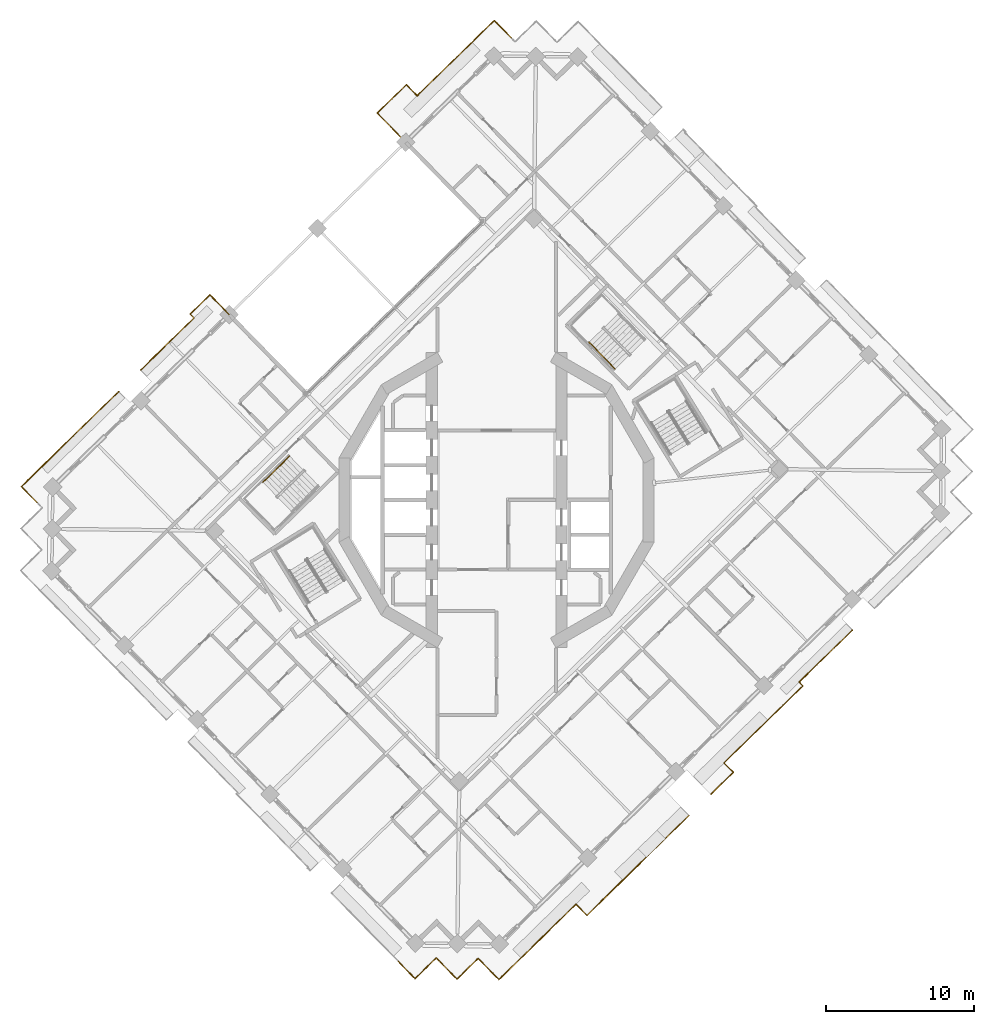
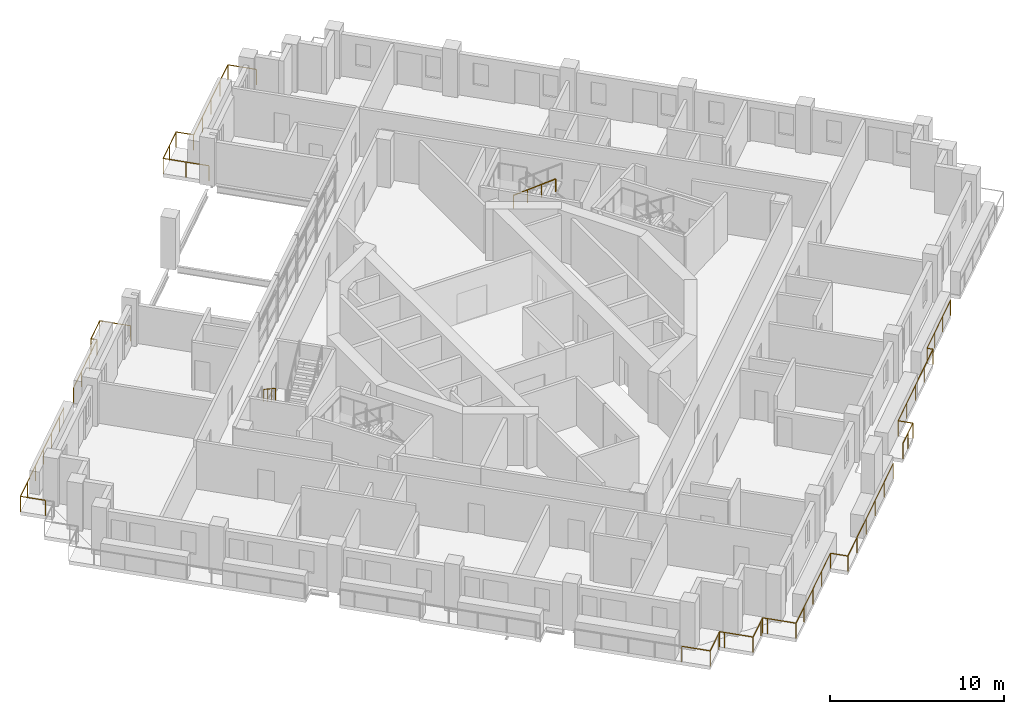
# One storey, part 16 of 19: 8 railings.
"""IFC4 building model written with IfcOpenShell, lengths in metres."""

from ifc_helpers import new_model, si_unit, direction, frame, origin, origin_2d, place, context, subcontext, project, spatial, circle, extrude, material, type_object, element, save


model = new_model("IFC4")

# Units and contexts
model_context = context("Model", 3, precision=1e-05, world=origin(), true_north=direction((0.0, 1.0)))
body_context = subcontext(model_context, "Body", "Model", "MODEL_VIEW")
ifc_project = project(units=[si_unit("LENGTHUNIT", "METRE"), si_unit("AREAUNIT", "SQUARE_METRE"), si_unit("VOLUMEUNIT", "CUBIC_METRE"), si_unit("PLANEANGLEUNIT", "RADIAN"), si_unit("MASSUNIT", "GRAM", prefix="KILO")], contexts=[model_context])

# Site, building, storey
site_placement = place(None, origin())
site = spatial("IfcSite", under=ifc_project, at=site_placement, CompositionType="ELEMENT")
building_placement = place(site_placement, origin())
building = spatial("IfcBuilding", under=site, at=building_placement, Name="Cantera Rosa Tower", CompositionType="ELEMENT")
storey_placement = place(building_placement, frame((0.0, 0.0, 223.39990234375)))
storey = spatial("IfcBuildingStorey", under=building, at=storey_placement, Name="L48", CompositionType="ELEMENT", Elevation=223.39990234375)

# Railings
ifc_material_1 = material(Name="Stainless steel and laminated glass", Category="steel")
railing_type_1 = type_object("IfcRailingType", Name="GUARD 1100", PredefinedType="BALUSTRADE", material=ifc_material_1)
railing_1_placement = place(storey_placement, frame((12.980712890625, -21.285400390625, 0.0)))
element("IfcRailing", 1, at=railing_1_placement, inside=storey, type_object=railing_type_1, Name="GUARD L48-2", PredefinedType="BALUSTRADE", context=body_context, shape_type="SweptSolid", body=[
    extrude(circle(Radius=0.030029296875, at=origin_2d()), frame((0.0, 0.0, 1.070068359375), z_axis=(-0.715280162096, -0.698837813596, 0.0), x_axis=(0.698837813596, -0.715280162096, 0.0)), (0.0, 0.0, 1.0), 9.636474609375),
    extrude(circle(Radius=0.030029296875, at=origin_2d()), frame((-6.892822265625, -6.734375, 1.070068359375), z_axis=(-0.698894981682, 0.715224303684, 0.0), x_axis=(-0.715224303684, -0.698894981682, 0.0)), (0.0, 0.0, 1.0), 1.046630859375),
    extrude(circle(Radius=0.030029296875, at=origin_2d()), frame((-7.624267578125, -5.98583984375, 1.070068359375), z_axis=(-0.715294189675, -0.698823455686, 0.0), x_axis=(0.698823455686, -0.715294189675, 0.0)), (0.0, 0.0, 1.0), 5.5732421875),
    extrude(circle(Radius=0.030029296875, at=origin_2d()), frame((-11.61083984375, -9.880615234375, 1.070068359375), z_axis=(-0.715316077832, -0.69880105094, 0.0), x_axis=(0.69880105094, -0.715316077832, 0.0)), (0.0, 0.0, 1.0), 1.699951171875),
    extrude(circle(Radius=0.030029296875, at=origin_2d()), frame((-12.826904296875, -11.068603515625, 1.070068359375), z_axis=(-0.698872839675, 0.715245939495, 0.0), x_axis=(-0.715245939495, -0.698872839675, 0.0)), (0.0, 0.0, 1.0), 1.699951171875),
    extrude(circle(Radius=0.030029296875, at=origin_2d()), frame((-14.014892578125, -9.852783203125, 1.070068359375), z_axis=(-0.698506948293, 0.715603272202, 0.0), x_axis=(-0.715603272202, -0.698506948293, 0.0)), (0.0, 0.0, 1.0), 0.2998046875),
    extrude(circle(Radius=0.030029296875, at=origin_2d()), frame((-14.224365234375, -9.63818359375, 1.070068359375), z_axis=(-0.715196445894, -0.698923489218, 0.0), x_axis=(0.698923489218, -0.715196445894, 0.0)), (0.0, 0.0, 1.0), 0.300048828125),
    extrude(circle(Radius=0.030029296875, at=origin_2d()), frame((-14.43896484375, -9.847900390625, 1.070068359375), z_axis=(-0.715316077832, -0.69880105094, 0.0), x_axis=(0.69880105094, -0.715316077832, 0.0)), (0.0, 0.0, 1.0), 1.699951171875),
    extrude(circle(Radius=0.030029296875, at=origin_2d()), frame((-15.655029296875, -11.035888671875, 1.070068359375), z_axis=(-0.69880105094, 0.715316077832, 0.0), x_axis=(-0.715316077832, -0.69880105094, 0.0)), (0.0, 0.0, 1.0), 1.699951171875),
    extrude(circle(Radius=0.030029296875, at=origin_2d()), frame((-16.843017578125, -9.81982421875, 1.070068359375), z_axis=(-0.698923489218, 0.715196445894, 0.0), x_axis=(-0.715196445894, -0.698923489218, 0.0)), (0.0, 0.0, 1.0), 0.300048828125),
    extrude(circle(Radius=0.030029296875, at=origin_2d()), frame((-17.052734375, -9.605224609375, 1.070068359375), z_axis=(-0.715196445894, -0.698923489218, 0.0), x_axis=(0.698923489218, -0.715196445894, 0.0)), (0.0, 0.0, 1.0), 0.300048828125),
    extrude(circle(Radius=0.030029296875, at=origin_2d()), frame((-17.267333984375, -9.81494140625, 1.070068359375), z_axis=(-0.715316077832, -0.69880105094, 0.0), x_axis=(0.69880105094, -0.715316077832, 0.0)), (0.0, 0.0, 1.0), 1.699951171875),
    extrude(circle(Radius=0.030029296875, at=origin_2d()), frame((-18.4833984375, -11.0029296875, 1.070068359375), z_axis=(-0.69880105094, 0.715316077832, 0.0), x_axis=(-0.715316077832, -0.69880105094, 0.0)), (0.0, 0.0, 1.0), 1.699951171875),
    extrude(circle(Radius=0.02490234375, at=origin_2d()), origin(), (0.0, 0.0, 1.0), 1.0400390625),
    extrude(circle(Radius=0.02490234375, at=origin_2d()), frame((-1.378662109375, -1.346923828125, 0.0)), (0.0, 0.0, 1.0), 1.0400390625),
    extrude(circle(Radius=0.02490234375, at=origin_2d()), frame((-2.757080078125, -2.69384765625, 0.0)), (0.0, 0.0, 1.0), 1.0400390625),
    extrude(circle(Radius=0.02490234375, at=origin_2d()), frame((-4.1357421875, -4.04052734375, 0.0)), (0.0, 0.0, 1.0), 1.0400390625),
    extrude(circle(Radius=0.02490234375, at=origin_2d()), frame((-5.51416015625, -5.387451171875, 0.0)), (0.0, 0.0, 1.0), 1.0400390625),
    extrude(circle(Radius=0.02490234375, at=origin_2d()), frame((-6.892822265625, -6.734375, 0.0)), (0.0, 0.0, 1.0), 1.0400390625),
    extrude(circle(Radius=0.02490234375, at=origin_2d()), frame((-7.624267578125, -5.98583984375, 0.0)), (0.0, 0.0, 1.0), 1.0400390625),
    extrude(circle(Radius=0.02490234375, at=origin_2d()), frame((-8.953125, -7.2841796875, 0.0)), (0.0, 0.0, 1.0), 1.0400390625),
    extrude(circle(Radius=0.02490234375, at=origin_2d()), frame((-10.281982421875, -8.582275390625, 0.0)), (0.0, 0.0, 1.0), 1.0400390625),
    extrude(circle(Radius=0.02490234375, at=origin_2d()), frame((-11.61083984375, -9.880615234375, 0.0)), (0.0, 0.0, 1.0), 1.0400390625),
    extrude(circle(Radius=0.02490234375, at=origin_2d()), frame((-12.826904296875, -11.068603515625, 0.0)), (0.0, 0.0, 1.0), 1.0400390625),
    extrude(circle(Radius=0.02490234375, at=origin_2d()), frame((-14.014892578125, -9.852783203125, 0.0)), (0.0, 0.0, 1.0), 1.0400390625),
    extrude(circle(Radius=0.02490234375, at=origin_2d()), frame((-14.224365234375, -9.63818359375, 0.0)), (0.0, 0.0, 1.0), 1.0400390625),
    extrude(circle(Radius=0.02490234375, at=origin_2d()), frame((-14.43896484375, -9.847900390625, 0.0)), (0.0, 0.0, 1.0), 1.0400390625),
    extrude(circle(Radius=0.02490234375, at=origin_2d()), frame((-15.655029296875, -11.035888671875, 0.0)), (0.0, 0.0, 1.0), 1.0400390625),
    extrude(circle(Radius=0.02490234375, at=origin_2d()), frame((-16.843017578125, -9.81982421875, 0.0)), (0.0, 0.0, 1.0), 1.0400390625),
    extrude(circle(Radius=0.02490234375, at=origin_2d()), frame((-17.052734375, -9.605224609375, 0.0)), (0.0, 0.0, 1.0), 1.0400390625),
    extrude(circle(Radius=0.02490234375, at=origin_2d()), frame((-17.267333984375, -9.81494140625, 0.0)), (0.0, 0.0, 1.0), 1.0400390625),
    extrude(circle(Radius=0.02490234375, at=origin_2d()), frame((-18.4833984375, -11.0029296875, 0.0)), (0.0, 0.0, 1.0), 1.0400390625),
    extrude(circle(Radius=0.02490234375, at=origin_2d()), frame((-19.67138671875, -9.786865234375, 0.0)), (0.0, 0.0, 1.0), 1.0400390625),
])
railing_2_placement = place(storey_placement, frame((-31.0107421875, -0.16943359375, 0.0)))
element("IfcRailing", 2, at=railing_2_placement, inside=storey, type_object=railing_type_1, Name="GUARD L48-4", PredefinedType="BALUSTRADE", context=body_context, shape_type="SweptSolid", body=[
    extrude(circle(Radius=0.030029296875, at=origin_2d()), frame((0.0, 0.0, 1.070068359375), z_axis=(-0.698838323933, 0.71527966349, 0.0), x_axis=(-0.71527966349, -0.698838323933, 0.0)), (0.0, 0.0, 1.0), 1.499755859375),
    extrude(circle(Radius=0.030029296875, at=origin_2d()), frame((-1.048095703125, 1.07275390625, 1.070068359375), z_axis=(0.71519829713, 0.698921594874, 0.0), x_axis=(-0.698921594874, 0.71519829713, 0.0)), (0.0, 0.0, 1.0), 1.5),
    extrude(circle(Radius=0.030029296875, at=origin_2d()), frame((0.024658203125, 2.12109375, 1.070068359375), z_axis=(0.715292116391, 0.698825577829, 0.0), x_axis=(-0.698825577829, 0.715292116391, 0.0)), (0.0, 0.0, 1.0), 6.820068359375),
    extrude(circle(Radius=0.030029296875, at=origin_2d()), frame((4.903076171875, 6.88720703125, 1.070068359375), z_axis=(0.715337030636, 0.698779602308, 0.0), x_axis=(-0.698779602308, 0.715337030636, 0.0)), (0.0, 0.0, 1.0), 0.869873046875),
    extrude(circle(Radius=0.02490234375, at=origin_2d()), origin(), (0.0, 0.0, 1.0), 1.0400390625),
    extrude(circle(Radius=0.02490234375, at=origin_2d()), frame((-1.048095703125, 1.07275390625, 0.0)), (0.0, 0.0, 1.0), 1.0400390625),
    extrude(circle(Radius=0.02490234375, at=origin_2d()), frame((0.024658203125, 2.12109375, 0.0)), (0.0, 0.0, 1.0), 1.0400390625),
    extrude(circle(Radius=0.02490234375, at=origin_2d()), frame((1.244140625, 3.3125, 0.0)), (0.0, 0.0, 1.0), 1.0400390625),
    extrude(circle(Radius=0.02490234375, at=origin_2d()), frame((2.4638671875, 4.504150390625, 0.0)), (0.0, 0.0, 1.0), 1.0400390625),
    extrude(circle(Radius=0.02490234375, at=origin_2d()), frame((3.68359375, 5.69580078125, 0.0)), (0.0, 0.0, 1.0), 1.0400390625),
    extrude(circle(Radius=0.02490234375, at=origin_2d()), frame((4.903076171875, 6.88720703125, 0.0)), (0.0, 0.0, 1.0), 1.0400390625),
    extrude(circle(Radius=0.02490234375, at=origin_2d()), frame((5.525390625, 7.4951171875, 0.0)), (0.0, 0.0, 1.0), 1.0400390625),
])
railing_3_placement = place(storey_placement, frame((-20.669189453125, 12.537841796875, 0.0)))
element("IfcRailing", 3, at=railing_3_placement, inside=storey, type_object=railing_type_1, Name="GUARD L48-6", PredefinedType="BALUSTRADE", context=body_context, shape_type="SweptSolid", body=[
    extrude(circle(Radius=0.030029296875, at=origin_2d()), frame((0.0, 0.0, 1.070068359375), z_axis=(0.715251228248, 0.698867426978, 0.0), x_axis=(-0.698867426978, 0.715251228248, 0.0)), (0.0, 0.0, 1.0), 1.862548828125),
    extrude(circle(Radius=0.030029296875, at=origin_2d()), frame((1.332275390625, 1.3017578125, 1.070068359375), z_axis=(0.698777368066, -0.715339213156, 0.0), x_axis=(0.715339213156, 0.698777368066, 0.0)), (0.0, 0.0, 1.0), 1.842529296875),
    extrude(circle(Radius=0.02490234375, at=origin_2d()), origin(), (0.0, 0.0, 1.0), 1.0400390625),
    extrude(circle(Radius=0.02490234375, at=origin_2d()), frame((1.332275390625, 1.3017578125, 0.0)), (0.0, 0.0, 1.0), 1.0400390625),
    extrude(circle(Radius=0.02490234375, at=origin_2d()), frame((2.619873046875, -0.016357421875, 0.0)), (0.0, 0.0, 1.0), 1.0400390625),
])
railing_4_placement = place(storey_placement, frame((-24.011962890625, 8.765380859375, 0.0)))
element("IfcRailing", 4, at=railing_4_placement, inside=storey, type_object=railing_type_1, Name="GUARD L48-7", PredefinedType="BALUSTRADE", context=body_context, shape_type="SweptSolid", body=[
    extrude(circle(Radius=0.030029296875, at=origin_2d()), frame((0.0, 0.0, 1.070068359375), z_axis=(0.715781948377, 0.698323852075, 0.0), x_axis=(-0.698323852075, 0.715781948377, 0.0)), (0.0, 0.0, 1.0), 0.06982421875),
    extrude(circle(Radius=0.030029296875, at=origin_2d()), frame((0.050048828125, 0.048828125, 1.070068359375), z_axis=(0.715307478522, 0.698809853372, 0.0), x_axis=(-0.698809853372, 0.715307478522, 0.0)), (0.0, 0.0, 1.0), 4.95751953125),
    extrude(circle(Radius=0.030029296875, at=origin_2d()), frame((3.59619140625, 3.51318359375, 1.070068359375), z_axis=(-0.698979914653, 0.715141299963, 0.0), x_axis=(-0.715141299963, -0.698979914653, 0.0)), (0.0, 0.0, 1.0), 0.362548828125),
    extrude(circle(Radius=0.02490234375, at=origin_2d()), origin(), (0.0, 0.0, 1.0), 1.0400390625),
    extrude(circle(Radius=0.02490234375, at=origin_2d()), frame((0.050048828125, 0.048828125, 0.0)), (0.0, 0.0, 1.0), 1.0400390625),
    extrude(circle(Radius=0.02490234375, at=origin_2d()), frame((1.232177734375, 1.20361328125, 0.0)), (0.0, 0.0, 1.0), 1.0400390625),
    extrude(circle(Radius=0.02490234375, at=origin_2d()), frame((2.4140625, 2.3583984375, 0.0)), (0.0, 0.0, 1.0), 1.0400390625),
    extrude(circle(Radius=0.02490234375, at=origin_2d()), frame((3.59619140625, 3.51318359375, 0.0)), (0.0, 0.0, 1.0), 1.0400390625),
    extrude(circle(Radius=0.02490234375, at=origin_2d()), frame((3.3427734375, 3.7724609375, 0.0)), (0.0, 0.0, 1.0), 1.0400390625),
])
railing_5_placement = place(storey_placement, frame((24.011962890625, -8.765380859375, 0.0)))
element("IfcRailing", 5, at=railing_5_placement, inside=storey, type_object=railing_type_1, Name="GUARD L48-8", PredefinedType="BALUSTRADE", context=body_context, shape_type="SweptSolid", body=[
    extrude(circle(Radius=0.030029296875, at=origin_2d()), frame((0.0, 0.0, 1.070068359375), z_axis=(-0.715781948377, -0.698323852075, 0.0), x_axis=(0.698323852075, -0.715781948377, 0.0)), (0.0, 0.0, 1.0), 0.06982421875),
    extrude(circle(Radius=0.030029296875, at=origin_2d()), frame((-0.050048828125, -0.048828125, 1.070068359375), z_axis=(-0.715307478522, -0.698809853372, 0.0), x_axis=(0.698809853372, -0.715307478522, 0.0)), (0.0, 0.0, 1.0), 4.95751953125),
    extrude(circle(Radius=0.030029296875, at=origin_2d()), frame((-3.59619140625, -3.51318359375, 1.070068359375), z_axis=(0.698979914653, -0.715141299963, 0.0), x_axis=(0.715141299963, 0.698979914653, 0.0)), (0.0, 0.0, 1.0), 0.362548828125),
    extrude(circle(Radius=0.030029296875, at=origin_2d()), frame((-3.3427734375, -3.7724609375, 1.070068359375), z_axis=(-0.715283428382, -0.698834470445, 0.0), x_axis=(0.698834470445, -0.715283428382, 0.0)), (0.0, 0.0, 1.0), 7.43603515625),
    extrude(circle(Radius=0.030029296875, at=origin_2d()), frame((-8.66162109375, -8.968994140625, 1.070068359375), z_axis=(0.698772394349, -0.715344071685, 0.0), x_axis=(0.715344071685, 0.698772394349, 0.0)), (0.0, 0.0, 1.0), 0.884033203125),
    extrude(circle(Radius=0.030029296875, at=origin_2d()), frame((-8.0439453125, -9.601318359375, 1.070068359375), z_axis=(-0.715248787586, -0.698869924848, 0.0), x_axis=(0.698869924848, -0.715248787586, 0.0)), (0.0, 0.0, 1.0), 2.11669921875),
    extrude(circle(Radius=0.02490234375, at=origin_2d()), origin(), (0.0, 0.0, 1.0), 1.0400390625),
    extrude(circle(Radius=0.02490234375, at=origin_2d()), frame((-0.050048828125, -0.048828125, 0.0)), (0.0, 0.0, 1.0), 1.0400390625),
    extrude(circle(Radius=0.02490234375, at=origin_2d()), frame((-1.232177734375, -1.20361328125, 0.0)), (0.0, 0.0, 1.0), 1.0400390625),
    extrude(circle(Radius=0.02490234375, at=origin_2d()), frame((-2.4140625, -2.3583984375, 0.0)), (0.0, 0.0, 1.0), 1.0400390625),
    extrude(circle(Radius=0.02490234375, at=origin_2d()), frame((-3.59619140625, -3.51318359375, 0.0)), (0.0, 0.0, 1.0), 1.0400390625),
    extrude(circle(Radius=0.02490234375, at=origin_2d()), frame((-3.3427734375, -3.7724609375, 0.0)), (0.0, 0.0, 1.0), 1.0400390625),
    extrude(circle(Radius=0.02490234375, at=origin_2d()), frame((-4.67236328125, -5.071533203125, 0.0)), (0.0, 0.0, 1.0), 1.0400390625),
    extrude(circle(Radius=0.02490234375, at=origin_2d()), frame((-6.002197265625, -6.37060546875, 0.0)), (0.0, 0.0, 1.0), 1.0400390625),
    extrude(circle(Radius=0.02490234375, at=origin_2d()), frame((-7.33203125, -7.669921875, 0.0)), (0.0, 0.0, 1.0), 1.0400390625),
    extrude(circle(Radius=0.02490234375, at=origin_2d()), frame((-8.66162109375, -8.968994140625, 0.0)), (0.0, 0.0, 1.0), 1.0400390625),
    extrude(circle(Radius=0.02490234375, at=origin_2d()), frame((-8.0439453125, -9.601318359375, 0.0)), (0.0, 0.0, 1.0), 1.0400390625),
    extrude(circle(Radius=0.02490234375, at=origin_2d()), frame((-8.80078125, -10.3408203125, 0.0)), (0.0, 0.0, 1.0), 1.0400390625),
    extrude(circle(Radius=0.02490234375, at=origin_2d()), frame((-9.557861328125, -11.08056640625, 0.0)), (0.0, 0.0, 1.0), 1.0400390625),
])
railing_6_placement = place(storey_placement, frame((-6.14697265625, 24.150146484375, 0.0)))
element("IfcRailing", 6, at=railing_6_placement, inside=storey, type_object=railing_type_1, Name="GUARD L48-12", PredefinedType="BALUSTRADE", context=body_context, shape_type="SweptSolid", body=[
    extrude(circle(Radius=0.030029296875, at=origin_2d()), frame((0.0, 0.0, 1.070068359375), z_axis=(-0.698866327323, 0.715252302711, 0.0), x_axis=(-0.715252302711, -0.698866327323, 0.0)), (0.0, 0.0, 1.0), 2.7265625),
    extrude(circle(Radius=0.030029296875, at=origin_2d()), frame((-1.905517578125, 1.9501953125, 1.070068359375), z_axis=(0.715281109499, 0.698836843902, 0.0), x_axis=(-0.698836843902, 0.715281109499, 0.0)), (0.0, 0.0, 1.0), 2.74658203125),
    extrude(circle(Radius=0.030029296875, at=origin_2d()), frame((0.05908203125, 3.86962890625, 1.070068359375), z_axis=(0.698894981682, -0.715224303684, 0.0), x_axis=(0.715224303684, 0.698894981682, 0.0)), (0.0, 0.0, 1.0), 1.046630859375),
    extrude(circle(Radius=0.030029296875, at=origin_2d()), frame((0.79052734375, 3.12109375, 1.070068359375), z_axis=(0.715294189675, 0.698823455686, 0.0), x_axis=(-0.698823455686, 0.715294189675, 0.0)), (0.0, 0.0, 1.0), 5.5732421875),
    extrude(circle(Radius=0.030029296875, at=origin_2d()), frame((4.777099609375, 7.015869140625, 1.070068359375), z_axis=(0.715316077832, 0.69880105094, 0.0), x_axis=(-0.69880105094, 0.715316077832, 0.0)), (0.0, 0.0, 1.0), 1.699951171875),
    extrude(circle(Radius=0.030029296875, at=origin_2d()), frame((5.9931640625, 8.203857421875, 1.070068359375), z_axis=(0.698872839675, -0.715245939495, 0.0), x_axis=(0.715245939495, 0.698872839675, 0.0)), (0.0, 0.0, 1.0), 1.699951171875),
    extrude(circle(Radius=0.02490234375, at=origin_2d()), origin(), (0.0, 0.0, 1.0), 1.0400390625),
    extrude(circle(Radius=0.02490234375, at=origin_2d()), frame((-0.95263671875, 0.97509765625, 0.0)), (0.0, 0.0, 1.0), 1.0400390625),
    extrude(circle(Radius=0.02490234375, at=origin_2d()), frame((-1.905517578125, 1.9501953125, 0.0)), (0.0, 0.0, 1.0), 1.0400390625),
    extrude(circle(Radius=0.02490234375, at=origin_2d()), frame((-0.92333984375, 2.909912109375, 0.0)), (0.0, 0.0, 1.0), 1.0400390625),
    extrude(circle(Radius=0.02490234375, at=origin_2d()), frame((0.05908203125, 3.86962890625, 0.0)), (0.0, 0.0, 1.0), 1.0400390625),
    extrude(circle(Radius=0.02490234375, at=origin_2d()), frame((0.79052734375, 3.12109375, 0.0)), (0.0, 0.0, 1.0), 1.0400390625),
    extrude(circle(Radius=0.02490234375, at=origin_2d()), frame((2.119384765625, 4.41943359375, 0.0)), (0.0, 0.0, 1.0), 1.0400390625),
    extrude(circle(Radius=0.02490234375, at=origin_2d()), frame((3.4482421875, 5.717529296875, 0.0)), (0.0, 0.0, 1.0), 1.0400390625),
    extrude(circle(Radius=0.02490234375, at=origin_2d()), frame((4.777099609375, 7.015869140625, 0.0)), (0.0, 0.0, 1.0), 1.0400390625),
    extrude(circle(Radius=0.02490234375, at=origin_2d()), frame((5.9931640625, 8.203857421875, 0.0)), (0.0, 0.0, 1.0), 1.0400390625),
    extrude(circle(Radius=0.02490234375, at=origin_2d()), frame((7.18115234375, 6.988037109375, 0.0)), (0.0, 0.0, 1.0), 1.0400390625),
])
ifc_material_2 = material(Name="Steel S355J2 (EN 10025-2)", Category="steel")
railing_type_2 = type_object("IfcRailingType", Name="STAIR HANDRAIL 900", PredefinedType="HANDRAIL", material=ifc_material_2)
railing_7_placement = place(storey_placement, frame((6.23388671875, 10.64013671875, 1.97998046875)))
element("IfcRailing", 7, at=railing_7_placement, inside=storey, type_object=railing_type_2, Name="L48 ST-42 stair handrail 2", PredefinedType="HANDRAIL", context=body_context, shape_type="SweptSolid", body=[
    extrude(circle(Radius=0.02392578125, at=origin_2d()), frame((0.0, 0.0, 0.8759765625), z_axis=(0.587818193466, -0.601672219931, 0.54079599776), x_axis=(0.715293958342, 0.698823692472, 0.0)), (0.0, 0.0, 1.0), 2.995849609375),
    extrude(circle(Radius=0.02099609375, at=origin_2d()), origin(), (0.0, 0.0, 1.0), 0.851806640625),
    extrude(circle(Radius=0.02099609375, at=origin_2d()), frame((0.5869140625, -0.600830078125, 0.5400390625)), (0.0, 0.0, 1.0), 0.851806640625),
    extrude(circle(Radius=0.02099609375, at=origin_2d()), frame((1.174072265625, -1.20166015625, 1.080078125)), (0.0, 0.0, 1.0), 0.851806640625),
    extrude(circle(Radius=0.02099609375, at=origin_2d()), frame((1.760986328125, -1.802490234375, 1.6201171875)), (0.0, 0.0, 1.0), 0.851806640625),
])
railing_8_placement = place(storey_placement, frame((-13.95947265625, 2.9619140625, 0.18017578125)))
element("IfcRailing", 8, at=railing_8_placement, inside=storey, type_object=railing_type_2, Name="L48 ST-43 stair handrail 1", PredefinedType="HANDRAIL", context=body_context, shape_type="SweptSolid", body=[
    extrude(circle(Radius=0.02392578125, at=origin_2d()), frame((0.0, 0.0, 0.8759765625), z_axis=(-0.60169873645, -0.587844099419, 0.540738333515), x_axis=(0.698823692472, -0.715293958342, 0.0)), (0.0, 0.0, 1.0), 2.99560546875),
    extrude(circle(Radius=0.02099609375, at=origin_2d()), origin(), (0.0, 0.0, 1.0), 0.851806640625),
    extrude(circle(Radius=0.02099609375, at=origin_2d()), frame((-0.600830078125, -0.5869140625, 0.5400390625)), (0.0, 0.0, 1.0), 0.851806640625),
    extrude(circle(Radius=0.02099609375, at=origin_2d()), frame((-1.20166015625, -1.174072265625, 1.079833984375)), (0.0, 0.0, 1.0), 0.851806640625),
    extrude(circle(Radius=0.02099609375, at=origin_2d()), frame((-1.802490234375, -1.760986328125, 1.619873046875)), (0.0, 0.0, 1.0), 0.851806640625),
])

save(model, "model.ifc")
